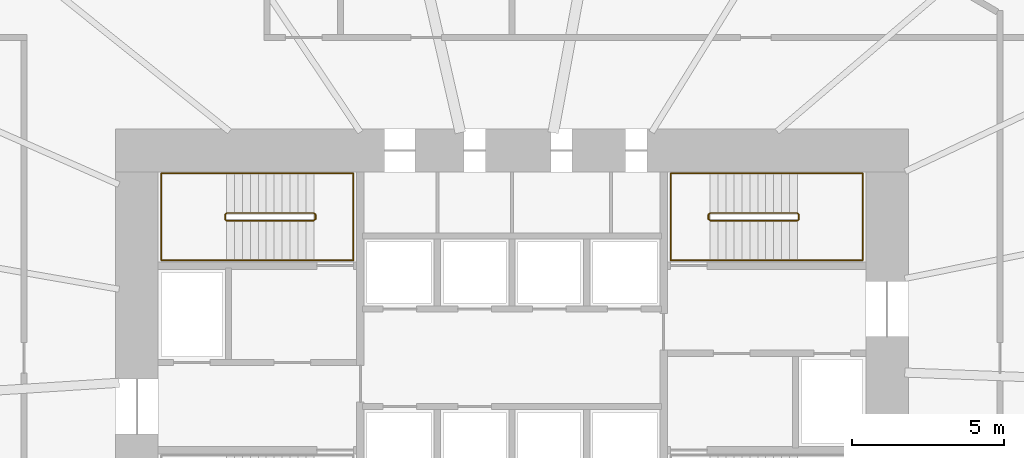
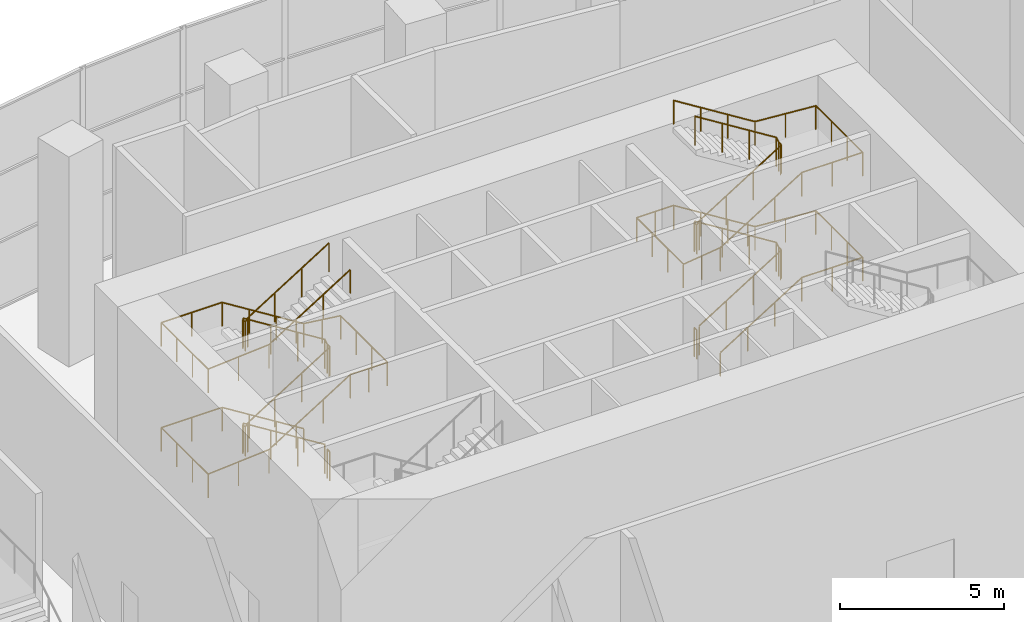
# One storey, part 22 of 22: 6 railings.
"""IFC4 building model written with IfcOpenShell, lengths in metres."""

from ifc_helpers import new_model, si_unit, direction, frame, origin, origin_2d, place, context, subcontext, project, spatial, circle, extrude, material, type_object, element, save


model = new_model("IFC4")

# Units and contexts
model_context = context("Model", 3, precision=1e-05, world=origin(), true_north=direction((0.0, 1.0)))
body_context = subcontext(model_context, "Body", "Model", "MODEL_VIEW")
ifc_project = project(units=[si_unit("LENGTHUNIT", "METRE"), si_unit("AREAUNIT", "SQUARE_METRE"), si_unit("VOLUMEUNIT", "CUBIC_METRE"), si_unit("PLANEANGLEUNIT", "RADIAN"), si_unit("MASSUNIT", "GRAM", prefix="KILO")], contexts=[model_context])

# Site, building, storey
site_placement = place(None, origin())
site = spatial("IfcSite", under=ifc_project, at=site_placement, CompositionType="ELEMENT")
building_placement = place(site_placement, origin())
building = spatial("IfcBuilding", under=site, at=building_placement, Name="Rubra Terraces Tower", CompositionType="ELEMENT")
storey_placement = place(building_placement, frame((0.0, 0.0, 15.0)))
storey = spatial("IfcBuildingStorey", under=building, at=storey_placement, Name="L02", CompositionType="ELEMENT", Elevation=15.0)

# Railings
ifc_material = material(Name="Stainless steel", Category="steel")
railing_type_1 = type_object("IfcRailingType", Name="Core stair guard 1100", PredefinedType="GUARDRAIL", material=ifc_material)
railing_1_placement = place(storey_placement, frame((-6.5, 9.25, 0.16259765625)))
element("IfcRailing", 1, at=railing_1_placement, inside=storey, type_object=railing_type_1, Name="L02 stair S2 guard 1", PredefinedType="GUARDRAIL", context=body_context, shape_type="SweptSolid", body=[
    extrude(circle(Radius=0.02392578125, at=origin_2d()), frame((0.0, 0.0, 1.076171875), z_axis=(-0.848026770018, 0.0, 0.529953391661), x_axis=(0.0, -1.0, 0.0)), (0.0, 0.0, 1.0), 3.37255859375),
    extrude(circle(Radius=0.02392578125, at=origin_2d()), frame((-2.860107421875, 0.0, 2.86328125), z_axis=(-0.705375805398, -0.708833529934, 0.0), x_axis=(0.708833529934, -0.705375805398, 0.0)), (0.0, 0.0, 1.0), 0.070556640625),
    extrude(circle(Radius=0.02392578125, at=origin_2d()), frame((-2.909912109375, -0.050048828125, 2.86328125), z_axis=(0.0, -1.0, 0.0), x_axis=(1.0, 0.0, 0.0)), (0.0, 0.0, 1.0), 0.14990234375),
    extrude(circle(Radius=0.02392578125, at=origin_2d()), frame((-2.909912109375, -0.199951171875, 2.86328125), z_axis=(0.280959487676, -0.282336740067, 0.917250092119), x_axis=(0.708833529934, 0.705375805398, 0.0)), (0.0, 0.0, 1.0), 0.17724609375),
    extrude(circle(Radius=0.02392578125, at=origin_2d()), frame((-2.860107421875, -0.25, 3.02587890625), z_axis=(0.848026770018, 0.0, 0.529953391661), x_axis=(0.0, 1.0, 0.0)), (0.0, 0.0, 1.0), 3.37255859375),
    extrude(circle(Radius=0.02392578125, at=origin_2d()), frame((0.0, -0.25, 4.8134765625), z_axis=(0.707106781187, 0.707106781187, 0.0), x_axis=(-0.707106781187, 0.707106781187, 0.0)), (0.0, 0.0, 1.0), 0.07080078125),
    extrude(circle(Radius=0.02392578125, at=origin_2d()), frame((0.050048828125, -0.199951171875, 4.8134765625), z_axis=(0.0, 1.0, 0.0), x_axis=(-1.0, 0.0, 0.0)), (0.0, 0.0, 1.0), 0.14990234375),
    extrude(circle(Radius=0.02392578125, at=origin_2d()), frame((0.050048828125, -0.050048828125, 4.8134765625), z_axis=(-0.282227285176, 0.282227285176, 0.916894497205), x_axis=(-0.707106781187, -0.707106781187, 0.0)), (0.0, 0.0, 1.0), 0.17724609375),
    extrude(circle(Radius=0.02392578125, at=origin_2d()), frame((0.0, 0.0, 4.97607421875), z_axis=(-0.847994237388, 0.0, 0.530005446535), x_axis=(0.0, -1.0, 0.0)), (0.0, 0.0, 1.0), 3.372802734375),
    extrude(circle(Radius=0.02392578125, at=origin_2d()), frame((-2.860107421875, 0.0, 6.763671875), z_axis=(-0.705375805398, -0.708833529934, 0.0), x_axis=(0.708833529934, -0.705375805398, 0.0)), (0.0, 0.0, 1.0), 0.070556640625),
    extrude(circle(Radius=0.02392578125, at=origin_2d()), frame((-2.909912109375, -0.050048828125, 6.763671875), z_axis=(0.0, -1.0, 0.0), x_axis=(1.0, 0.0, 0.0)), (0.0, 0.0, 1.0), 0.14990234375),
    extrude(circle(Radius=0.02392578125, at=origin_2d()), frame((-2.909912109375, -0.199951171875, 6.763671875), z_axis=(0.281314826061, -0.282693820306, 0.917031173188), x_axis=(0.708833529934, 0.705375805398, 0.0)), (0.0, 0.0, 1.0), 0.177001953125),
    extrude(circle(Radius=0.02392578125, at=origin_2d()), frame((-2.860107421875, -0.25, 6.92578125), z_axis=(0.847994237388, 0.0, 0.530005446535), x_axis=(0.0, 1.0, 0.0)), (0.0, 0.0, 1.0), 3.372802734375),
    extrude(circle(Radius=0.02099609375, at=origin_2d()), origin(), (0.0, 0.0, 1.0), 1.052001953125),
    extrude(circle(Radius=0.02099609375, at=origin_2d()), frame((-0.953369140625, 0.0, 0.595703125)), (0.0, 0.0, 1.0), 1.052001953125),
    extrude(circle(Radius=0.02099609375, at=origin_2d()), frame((-1.90673828125, 0.0, 1.191650390625)), (0.0, 0.0, 1.0), 1.052001953125),
    extrude(circle(Radius=0.02099609375, at=origin_2d()), frame((-2.860107421875, 0.0, 1.787353515625)), (0.0, 0.0, 1.0), 1.052001953125),
    extrude(circle(Radius=0.02099609375, at=origin_2d()), frame((-2.909912109375, -0.050048828125, 1.787353515625)), (0.0, 0.0, 1.0), 1.052001953125),
    extrude(circle(Radius=0.02099609375, at=origin_2d()), frame((-2.909912109375, -0.199951171875, 1.787353515625)), (0.0, 0.0, 1.0), 1.052001953125),
    extrude(circle(Radius=0.02099609375, at=origin_2d()), frame((-2.860107421875, -0.25, 1.949951171875)), (0.0, 0.0, 1.0), 1.052001953125),
    extrude(circle(Radius=0.02099609375, at=origin_2d()), frame((-1.90673828125, -0.25, 2.545654296875)), (0.0, 0.0, 1.0), 1.052001953125),
    extrude(circle(Radius=0.02099609375, at=origin_2d()), frame((-0.953369140625, -0.25, 3.1416015625)), (0.0, 0.0, 1.0), 1.052001953125),
    extrude(circle(Radius=0.02099609375, at=origin_2d()), frame((0.0, -0.25, 3.7373046875)), (0.0, 0.0, 1.0), 1.052001953125),
    extrude(circle(Radius=0.02099609375, at=origin_2d()), frame((0.050048828125, -0.199951171875, 3.7373046875)), (0.0, 0.0, 1.0), 1.052001953125),
    extrude(circle(Radius=0.02099609375, at=origin_2d()), frame((0.050048828125, -0.050048828125, 3.7373046875)), (0.0, 0.0, 1.0), 1.052001953125),
    extrude(circle(Radius=0.02099609375, at=origin_2d()), frame((0.0, 0.0, 3.89990234375)), (0.0, 0.0, 1.0), 1.052001953125),
    extrude(circle(Radius=0.02099609375, at=origin_2d()), frame((-0.953369140625, 0.0, 4.495849609375)), (0.0, 0.0, 1.0), 1.052001953125),
    extrude(circle(Radius=0.02099609375, at=origin_2d()), frame((-1.90673828125, 0.0, 5.091552734375)), (0.0, 0.0, 1.0), 1.052001953125),
    extrude(circle(Radius=0.02099609375, at=origin_2d()), frame((-2.860107421875, 0.0, 5.6875)), (0.0, 0.0, 1.0), 1.052001953125),
    extrude(circle(Radius=0.02099609375, at=origin_2d()), frame((-2.909912109375, -0.050048828125, 5.6875)), (0.0, 0.0, 1.0), 1.052001953125),
    extrude(circle(Radius=0.02099609375, at=origin_2d()), frame((-2.909912109375, -0.199951171875, 5.6875)), (0.0, 0.0, 1.0), 1.052001953125),
    extrude(circle(Radius=0.02099609375, at=origin_2d()), frame((-2.860107421875, -0.25, 5.849853515625)), (0.0, 0.0, 1.0), 1.052001953125),
    extrude(circle(Radius=0.02099609375, at=origin_2d()), frame((-1.90673828125, -0.25, 6.44580078125)), (0.0, 0.0, 1.0), 1.052001953125),
    extrude(circle(Radius=0.02099609375, at=origin_2d()), frame((-0.953369140625, -0.25, 7.04150390625)), (0.0, 0.0, 1.0), 1.052001953125),
    extrude(circle(Radius=0.02099609375, at=origin_2d()), frame((0.0, -0.25, 7.637451171875)), (0.0, 0.0, 1.0), 1.052001953125),
])
railing_2_placement = place(storey_placement, frame((-6.449951171875, 9.199951171875, 0.0)))
element("IfcRailing", 2, at=railing_2_placement, inside=storey, type_object=railing_type_1, Name="L02 stair S2 guard 2", PredefinedType="GUARDRAIL", context=body_context, shape_type="SweptSolid", body=[
    extrude(circle(Radius=0.02392578125, at=origin_2d()), frame((0.0, 0.0, 1.076171875), z_axis=(0.0, -1.0, 0.0), x_axis=(1.0, 0.0, 0.0)), (0.0, 0.0, 1.0), 0.14990234375),
    extrude(circle(Radius=0.02099609375, at=origin_2d()), origin(), (0.0, 0.0, 1.0), 1.052001953125),
    extrude(circle(Radius=0.02099609375, at=origin_2d()), frame((0.0, -0.14990234375, 0.0)), (0.0, 0.0, 1.0), 1.052001953125),
])
railing_3_placement = place(storey_placement, frame((6.5, 9.0, 0.16259765625)))
element("IfcRailing", 3, at=railing_3_placement, inside=storey, type_object=railing_type_1, Name="L02 stair S3 guard 1", PredefinedType="GUARDRAIL", context=body_context, shape_type="SweptSolid", body=[
    extrude(circle(Radius=0.02392578125, at=origin_2d()), frame((0.0, 0.0, 1.076171875), z_axis=(0.848026770018, 0.0, 0.529953391661), x_axis=(0.0, 1.0, 0.0)), (0.0, 0.0, 1.0), 3.37255859375),
    extrude(circle(Radius=0.02392578125, at=origin_2d()), frame((2.860107421875, 0.0, 2.86328125), z_axis=(0.705375805398, 0.708833529934, 0.0), x_axis=(-0.708833529934, 0.705375805398, 0.0)), (0.0, 0.0, 1.0), 0.070556640625),
    extrude(circle(Radius=0.02392578125, at=origin_2d()), frame((2.909912109375, 0.050048828125, 2.86328125), z_axis=(0.0, 1.0, 0.0), x_axis=(-1.0, 0.0, 0.0)), (0.0, 0.0, 1.0), 0.14990234375),
    extrude(circle(Radius=0.02392578125, at=origin_2d()), frame((2.909912109375, 0.199951171875, 2.86328125), z_axis=(-0.280959487676, 0.282336740067, 0.917250092119), x_axis=(-0.708833529934, -0.705375805398, 0.0)), (0.0, 0.0, 1.0), 0.17724609375),
    extrude(circle(Radius=0.02392578125, at=origin_2d()), frame((2.860107421875, 0.25, 3.02587890625), z_axis=(-0.848026770018, 0.0, 0.529953391661), x_axis=(0.0, -1.0, 0.0)), (0.0, 0.0, 1.0), 3.37255859375),
    extrude(circle(Radius=0.02392578125, at=origin_2d()), frame((0.0, 0.25, 4.8134765625), z_axis=(-0.707106781187, -0.707106781187, 0.0), x_axis=(0.707106781187, -0.707106781187, 0.0)), (0.0, 0.0, 1.0), 0.07080078125),
    extrude(circle(Radius=0.02392578125, at=origin_2d()), frame((-0.050048828125, 0.199951171875, 4.8134765625), z_axis=(0.0, -1.0, 0.0), x_axis=(1.0, 0.0, 0.0)), (0.0, 0.0, 1.0), 0.14990234375),
    extrude(circle(Radius=0.02392578125, at=origin_2d()), frame((-0.050048828125, 0.050048828125, 4.8134765625), z_axis=(0.282227285176, -0.282227285176, 0.916894497205), x_axis=(0.707106781187, 0.707106781187, 0.0)), (0.0, 0.0, 1.0), 0.17724609375),
    extrude(circle(Radius=0.02392578125, at=origin_2d()), frame((0.0, 0.0, 4.97607421875), z_axis=(0.847994237388, 0.0, 0.530005446535), x_axis=(0.0, 1.0, 0.0)), (0.0, 0.0, 1.0), 3.372802734375),
    extrude(circle(Radius=0.02392578125, at=origin_2d()), frame((2.860107421875, 0.0, 6.763671875), z_axis=(0.705375805398, 0.708833529934, 0.0), x_axis=(-0.708833529934, 0.705375805398, 0.0)), (0.0, 0.0, 1.0), 0.070556640625),
    extrude(circle(Radius=0.02392578125, at=origin_2d()), frame((2.909912109375, 0.050048828125, 6.763671875), z_axis=(0.0, 1.0, 0.0), x_axis=(-1.0, 0.0, 0.0)), (0.0, 0.0, 1.0), 0.14990234375),
    extrude(circle(Radius=0.02392578125, at=origin_2d()), frame((2.909912109375, 0.199951171875, 6.763671875), z_axis=(-0.281314826061, 0.282693820306, 0.917031173188), x_axis=(-0.708833529934, -0.705375805398, 0.0)), (0.0, 0.0, 1.0), 0.177001953125),
    extrude(circle(Radius=0.02392578125, at=origin_2d()), frame((2.860107421875, 0.25, 6.92578125), z_axis=(-0.847994237388, 0.0, 0.530005446535), x_axis=(0.0, -1.0, 0.0)), (0.0, 0.0, 1.0), 3.372802734375),
    extrude(circle(Radius=0.02099609375, at=origin_2d()), origin(), (0.0, 0.0, 1.0), 1.052001953125),
    extrude(circle(Radius=0.02099609375, at=origin_2d()), frame((0.953369140625, 0.0, 0.595703125)), (0.0, 0.0, 1.0), 1.052001953125),
    extrude(circle(Radius=0.02099609375, at=origin_2d()), frame((1.90673828125, 0.0, 1.191650390625)), (0.0, 0.0, 1.0), 1.052001953125),
    extrude(circle(Radius=0.02099609375, at=origin_2d()), frame((2.860107421875, 0.0, 1.787353515625)), (0.0, 0.0, 1.0), 1.052001953125),
    extrude(circle(Radius=0.02099609375, at=origin_2d()), frame((2.909912109375, 0.050048828125, 1.787353515625)), (0.0, 0.0, 1.0), 1.052001953125),
    extrude(circle(Radius=0.02099609375, at=origin_2d()), frame((2.909912109375, 0.199951171875, 1.787353515625)), (0.0, 0.0, 1.0), 1.052001953125),
    extrude(circle(Radius=0.02099609375, at=origin_2d()), frame((2.860107421875, 0.25, 1.949951171875)), (0.0, 0.0, 1.0), 1.052001953125),
    extrude(circle(Radius=0.02099609375, at=origin_2d()), frame((1.90673828125, 0.25, 2.545654296875)), (0.0, 0.0, 1.0), 1.052001953125),
    extrude(circle(Radius=0.02099609375, at=origin_2d()), frame((0.953369140625, 0.25, 3.1416015625)), (0.0, 0.0, 1.0), 1.052001953125),
    extrude(circle(Radius=0.02099609375, at=origin_2d()), frame((0.0, 0.25, 3.7373046875)), (0.0, 0.0, 1.0), 1.052001953125),
    extrude(circle(Radius=0.02099609375, at=origin_2d()), frame((-0.050048828125, 0.199951171875, 3.7373046875)), (0.0, 0.0, 1.0), 1.052001953125),
    extrude(circle(Radius=0.02099609375, at=origin_2d()), frame((-0.050048828125, 0.050048828125, 3.7373046875)), (0.0, 0.0, 1.0), 1.052001953125),
    extrude(circle(Radius=0.02099609375, at=origin_2d()), frame((0.0, 0.0, 3.89990234375)), (0.0, 0.0, 1.0), 1.052001953125),
    extrude(circle(Radius=0.02099609375, at=origin_2d()), frame((0.953369140625, 0.0, 4.495849609375)), (0.0, 0.0, 1.0), 1.052001953125),
    extrude(circle(Radius=0.02099609375, at=origin_2d()), frame((1.90673828125, 0.0, 5.091552734375)), (0.0, 0.0, 1.0), 1.052001953125),
    extrude(circle(Radius=0.02099609375, at=origin_2d()), frame((2.860107421875, 0.0, 5.6875)), (0.0, 0.0, 1.0), 1.052001953125),
    extrude(circle(Radius=0.02099609375, at=origin_2d()), frame((2.909912109375, 0.050048828125, 5.6875)), (0.0, 0.0, 1.0), 1.052001953125),
    extrude(circle(Radius=0.02099609375, at=origin_2d()), frame((2.909912109375, 0.199951171875, 5.6875)), (0.0, 0.0, 1.0), 1.052001953125),
    extrude(circle(Radius=0.02099609375, at=origin_2d()), frame((2.860107421875, 0.25, 5.849853515625)), (0.0, 0.0, 1.0), 1.052001953125),
    extrude(circle(Radius=0.02099609375, at=origin_2d()), frame((1.90673828125, 0.25, 6.44580078125)), (0.0, 0.0, 1.0), 1.052001953125),
    extrude(circle(Radius=0.02099609375, at=origin_2d()), frame((0.953369140625, 0.25, 7.04150390625)), (0.0, 0.0, 1.0), 1.052001953125),
    extrude(circle(Radius=0.02099609375, at=origin_2d()), frame((0.0, 0.25, 7.637451171875)), (0.0, 0.0, 1.0), 1.052001953125),
])
railing_4_placement = place(storey_placement, frame((6.449951171875, 9.050048828125, 0.0)))
element("IfcRailing", 4, at=railing_4_placement, inside=storey, type_object=railing_type_1, Name="L02 stair S3 guard 2", PredefinedType="GUARDRAIL", context=body_context, shape_type="SweptSolid", body=[
    extrude(circle(Radius=0.02392578125, at=origin_2d()), frame((0.0, 0.0, 1.076171875), z_axis=(0.0, 1.0, 0.0), x_axis=(-1.0, 0.0, 0.0)), (0.0, 0.0, 1.0), 0.14990234375),
    extrude(circle(Radius=0.02099609375, at=origin_2d()), origin(), (0.0, 0.0, 1.0), 1.052001953125),
    extrude(circle(Radius=0.02099609375, at=origin_2d()), frame((0.0, 0.14990234375, 0.0)), (0.0, 0.0, 1.0), 1.052001953125),
])
railing_type_2 = type_object("IfcRailingType", Name="Core stair handrail 900", PredefinedType="HANDRAIL", material=ifc_material)
railing_5_placement = place(storey_placement, frame((-6.5, 10.550048828125, 0.16259765625)))
element("IfcRailing", 5, at=railing_5_placement, inside=storey, type_object=railing_type_2, Name="L02 stair S2 handrail 1", PredefinedType="HANDRAIL", context=body_context, shape_type="SweptSolid", body=[
    extrude(circle(Radius=0.02392578125, at=origin_2d()), frame((0.0, 0.0, 0.8759765625), z_axis=(-0.848026770018, 0.0, 0.529953391661), x_axis=(0.0, -1.0, 0.0)), (0.0, 0.0, 1.0), 3.37255859375),
    extrude(circle(Radius=0.02392578125, at=origin_2d()), frame((-2.860107421875, 0.0, 2.6630859375), z_axis=(-1.0, 0.0, 0.0), x_axis=(0.0, -1.0, 0.0)), (0.0, 0.0, 1.0), 2.139892578125),
    extrude(circle(Radius=0.02392578125, at=origin_2d()), frame((-5.0, 0.0, 2.6630859375), z_axis=(0.0, -1.0, 0.0), x_axis=(1.0, 0.0, 0.0)), (0.0, 0.0, 1.0), 2.85009765625),
    extrude(circle(Radius=0.02392578125, at=origin_2d()), frame((-5.0, -2.85009765625, 2.6630859375), z_axis=(0.997125654253, 0.0, 0.075765623016), x_axis=(0.0, 1.0, 0.0)), (0.0, 0.0, 1.0), 2.14599609375),
    extrude(circle(Radius=0.02392578125, at=origin_2d()), frame((-2.860107421875, -2.85009765625, 2.82568359375), z_axis=(0.848026770018, 0.0, 0.529953391661), x_axis=(0.0, 1.0, 0.0)), (0.0, 0.0, 1.0), 3.37255859375),
    extrude(circle(Radius=0.02392578125, at=origin_2d()), frame((0.0, -2.85009765625, 4.61328125), z_axis=(1.0, 0.0, 0.0), x_axis=(0.0, 1.0, 0.0)), (0.0, 0.0, 1.0), 1.300048828125),
    extrude(circle(Radius=0.02392578125, at=origin_2d()), frame((1.300048828125, -2.85009765625, 4.61328125), z_axis=(0.0, 1.0, 0.0), x_axis=(-1.0, 0.0, 0.0)), (0.0, 0.0, 1.0), 2.85009765625),
    extrude(circle(Radius=0.02392578125, at=origin_2d()), frame((1.300048828125, 0.0, 4.61328125), z_axis=(-0.992269273945, 0.0, 0.124103537361), x_axis=(0.0, -1.0, 0.0)), (0.0, 0.0, 1.0), 1.31005859375),
    extrude(circle(Radius=0.02392578125, at=origin_2d()), frame((0.0, 0.0, 4.77587890625), z_axis=(-0.847994237388, 0.0, 0.530005446535), x_axis=(0.0, -1.0, 0.0)), (0.0, 0.0, 1.0), 3.372802734375),
    extrude(circle(Radius=0.02392578125, at=origin_2d()), frame((-2.860107421875, 0.0, 6.5634765625), z_axis=(-1.0, 0.0, 0.0), x_axis=(0.0, -1.0, 0.0)), (0.0, 0.0, 1.0), 2.139892578125),
    extrude(circle(Radius=0.02392578125, at=origin_2d()), frame((-5.0, 0.0, 6.5634765625), z_axis=(0.0, -1.0, 0.0), x_axis=(1.0, 0.0, 0.0)), (0.0, 0.0, 1.0), 2.85009765625),
    extrude(circle(Radius=0.02392578125, at=origin_2d()), frame((-5.0, -2.85009765625, 6.5634765625), z_axis=(0.9971342424, 0.0, 0.075652512401), x_axis=(0.0, 1.0, 0.0)), (0.0, 0.0, 1.0), 2.14599609375),
    extrude(circle(Radius=0.02392578125, at=origin_2d()), frame((-2.860107421875, -2.85009765625, 6.7255859375), z_axis=(0.847994237388, 0.0, 0.530005446535), x_axis=(0.0, 1.0, 0.0)), (0.0, 0.0, 1.0), 3.372802734375),
    extrude(circle(Radius=0.02099609375, at=origin_2d()), origin(), (0.0, 0.0, 1.0), 0.851806640625),
    extrude(circle(Radius=0.02099609375, at=origin_2d()), frame((-0.953369140625, 0.0, 0.595703125)), (0.0, 0.0, 1.0), 0.851806640625),
    extrude(circle(Radius=0.02099609375, at=origin_2d()), frame((-1.90673828125, 0.0, 1.191650390625)), (0.0, 0.0, 1.0), 0.851806640625),
    extrude(circle(Radius=0.02099609375, at=origin_2d()), frame((-2.860107421875, 0.0, 1.787353515625)), (0.0, 0.0, 1.0), 0.851806640625),
    extrude(circle(Radius=0.02099609375, at=origin_2d()), frame((-3.93017578125, 0.0, 1.787353515625)), (0.0, 0.0, 1.0), 0.851806640625),
    extrude(circle(Radius=0.02099609375, at=origin_2d()), frame((-5.0, 0.0, 1.787353515625)), (0.0, 0.0, 1.0), 0.851806640625),
    extrude(circle(Radius=0.02099609375, at=origin_2d()), frame((-5.0, -0.949951171875, 1.787353515625)), (0.0, 0.0, 1.0), 0.851806640625),
    extrude(circle(Radius=0.02099609375, at=origin_2d()), frame((-5.0, -1.900146484375, 1.787353515625)), (0.0, 0.0, 1.0), 0.851806640625),
    extrude(circle(Radius=0.02099609375, at=origin_2d()), frame((-5.0, -2.85009765625, 1.787353515625)), (0.0, 0.0, 1.0), 0.851806640625),
    extrude(circle(Radius=0.02099609375, at=origin_2d()), frame((-3.93017578125, -2.85009765625, 1.86865234375)), (0.0, 0.0, 1.0), 0.851806640625),
    extrude(circle(Radius=0.02099609375, at=origin_2d()), frame((-2.860107421875, -2.85009765625, 1.949951171875)), (0.0, 0.0, 1.0), 0.851806640625),
    extrude(circle(Radius=0.02099609375, at=origin_2d()), frame((-1.90673828125, -2.85009765625, 2.545654296875)), (0.0, 0.0, 1.0), 0.851806640625),
    extrude(circle(Radius=0.02099609375, at=origin_2d()), frame((-0.953369140625, -2.85009765625, 3.1416015625)), (0.0, 0.0, 1.0), 0.851806640625),
    extrude(circle(Radius=0.02099609375, at=origin_2d()), frame((0.0, -2.85009765625, 3.7373046875)), (0.0, 0.0, 1.0), 0.851806640625),
    extrude(circle(Radius=0.02099609375, at=origin_2d()), frame((0.64990234375, -2.85009765625, 3.7373046875)), (0.0, 0.0, 1.0), 0.851806640625),
    extrude(circle(Radius=0.02099609375, at=origin_2d()), frame((1.300048828125, -2.85009765625, 3.7373046875)), (0.0, 0.0, 1.0), 0.851806640625),
    extrude(circle(Radius=0.02099609375, at=origin_2d()), frame((1.300048828125, -1.900146484375, 3.7373046875)), (0.0, 0.0, 1.0), 0.851806640625),
    extrude(circle(Radius=0.02099609375, at=origin_2d()), frame((1.300048828125, -0.949951171875, 3.7373046875)), (0.0, 0.0, 1.0), 0.851806640625),
    extrude(circle(Radius=0.02099609375, at=origin_2d()), frame((1.300048828125, 0.0, 3.7373046875)), (0.0, 0.0, 1.0), 0.851806640625),
    extrude(circle(Radius=0.02099609375, at=origin_2d()), frame((0.64990234375, 0.0, 3.818603515625)), (0.0, 0.0, 1.0), 0.851806640625),
    extrude(circle(Radius=0.02099609375, at=origin_2d()), frame((0.0, 0.0, 3.89990234375)), (0.0, 0.0, 1.0), 0.851806640625),
    extrude(circle(Radius=0.02099609375, at=origin_2d()), frame((-0.953369140625, 0.0, 4.495849609375)), (0.0, 0.0, 1.0), 0.851806640625),
    extrude(circle(Radius=0.02099609375, at=origin_2d()), frame((-1.90673828125, 0.0, 5.091552734375)), (0.0, 0.0, 1.0), 0.851806640625),
    extrude(circle(Radius=0.02099609375, at=origin_2d()), frame((-2.860107421875, 0.0, 5.6875)), (0.0, 0.0, 1.0), 0.851806640625),
    extrude(circle(Radius=0.02099609375, at=origin_2d()), frame((-3.93017578125, 0.0, 5.6875)), (0.0, 0.0, 1.0), 0.851806640625),
    extrude(circle(Radius=0.02099609375, at=origin_2d()), frame((-5.0, 0.0, 5.6875)), (0.0, 0.0, 1.0), 0.851806640625),
    extrude(circle(Radius=0.02099609375, at=origin_2d()), frame((-5.0, -0.949951171875, 5.6875)), (0.0, 0.0, 1.0), 0.851806640625),
    extrude(circle(Radius=0.02099609375, at=origin_2d()), frame((-5.0, -1.900146484375, 5.6875)), (0.0, 0.0, 1.0), 0.851806640625),
    extrude(circle(Radius=0.02099609375, at=origin_2d()), frame((-5.0, -2.85009765625, 5.6875)), (0.0, 0.0, 1.0), 0.851806640625),
    extrude(circle(Radius=0.02099609375, at=origin_2d()), frame((-3.93017578125, -2.85009765625, 5.7685546875)), (0.0, 0.0, 1.0), 0.851806640625),
    extrude(circle(Radius=0.02099609375, at=origin_2d()), frame((-2.860107421875, -2.85009765625, 5.849853515625)), (0.0, 0.0, 1.0), 0.851806640625),
    extrude(circle(Radius=0.02099609375, at=origin_2d()), frame((-1.90673828125, -2.85009765625, 6.44580078125)), (0.0, 0.0, 1.0), 0.851806640625),
    extrude(circle(Radius=0.02099609375, at=origin_2d()), frame((-0.953369140625, -2.85009765625, 7.04150390625)), (0.0, 0.0, 1.0), 0.851806640625),
    extrude(circle(Radius=0.02099609375, at=origin_2d()), frame((0.0, -2.85009765625, 7.637451171875)), (0.0, 0.0, 1.0), 0.851806640625),
])
railing_6_placement = place(storey_placement, frame((6.5, 7.699951171875, 0.16259765625)))
element("IfcRailing", 6, at=railing_6_placement, inside=storey, type_object=railing_type_2, Name="L02 stair S3 handrail 1", PredefinedType="HANDRAIL", context=body_context, shape_type="SweptSolid", body=[
    extrude(circle(Radius=0.02392578125, at=origin_2d()), frame((0.0, 0.0, 0.8759765625), z_axis=(0.848026770018, 0.0, 0.529953391661), x_axis=(0.0, 1.0, 0.0)), (0.0, 0.0, 1.0), 3.37255859375),
    extrude(circle(Radius=0.02392578125, at=origin_2d()), frame((2.860107421875, 0.0, 2.6630859375), z_axis=(1.0, 0.0, 0.0), x_axis=(0.0, 1.0, 0.0)), (0.0, 0.0, 1.0), 2.139892578125),
    extrude(circle(Radius=0.02392578125, at=origin_2d()), frame((5.0, 0.0, 2.6630859375), z_axis=(0.0, 1.0, 0.0), x_axis=(-1.0, 0.0, 0.0)), (0.0, 0.0, 1.0), 2.85009765625),
    extrude(circle(Radius=0.02392578125, at=origin_2d()), frame((5.0, 2.85009765625, 2.6630859375), z_axis=(-0.997125654253, 0.0, 0.075765623016), x_axis=(0.0, -1.0, 0.0)), (0.0, 0.0, 1.0), 2.14599609375),
    extrude(circle(Radius=0.02392578125, at=origin_2d()), frame((2.860107421875, 2.85009765625, 2.82568359375), z_axis=(-0.848026770018, 0.0, 0.529953391661), x_axis=(0.0, -1.0, 0.0)), (0.0, 0.0, 1.0), 3.37255859375),
    extrude(circle(Radius=0.02392578125, at=origin_2d()), frame((0.0, 2.85009765625, 4.61328125), z_axis=(-1.0, 0.0, 0.0), x_axis=(0.0, -1.0, 0.0)), (0.0, 0.0, 1.0), 1.300048828125),
    extrude(circle(Radius=0.02392578125, at=origin_2d()), frame((-1.300048828125, 2.85009765625, 4.61328125), z_axis=(0.0, -1.0, 0.0), x_axis=(1.0, 0.0, 0.0)), (0.0, 0.0, 1.0), 2.85009765625),
    extrude(circle(Radius=0.02392578125, at=origin_2d()), frame((-1.300048828125, 0.0, 4.61328125), z_axis=(0.992269273945, 0.0, 0.124103537361), x_axis=(0.0, 1.0, 0.0)), (0.0, 0.0, 1.0), 1.31005859375),
    extrude(circle(Radius=0.02392578125, at=origin_2d()), frame((0.0, 0.0, 4.77587890625), z_axis=(0.847994237388, 0.0, 0.530005446535), x_axis=(0.0, 1.0, 0.0)), (0.0, 0.0, 1.0), 3.372802734375),
    extrude(circle(Radius=0.02392578125, at=origin_2d()), frame((2.860107421875, 0.0, 6.5634765625), z_axis=(1.0, 0.0, 0.0), x_axis=(0.0, 1.0, 0.0)), (0.0, 0.0, 1.0), 2.139892578125),
    extrude(circle(Radius=0.02392578125, at=origin_2d()), frame((5.0, 0.0, 6.5634765625), z_axis=(0.0, 1.0, 0.0), x_axis=(-1.0, 0.0, 0.0)), (0.0, 0.0, 1.0), 2.85009765625),
    extrude(circle(Radius=0.02392578125, at=origin_2d()), frame((5.0, 2.85009765625, 6.5634765625), z_axis=(-0.9971342424, 0.0, 0.075652512401), x_axis=(0.0, -1.0, 0.0)), (0.0, 0.0, 1.0), 2.14599609375),
    extrude(circle(Radius=0.02392578125, at=origin_2d()), frame((2.860107421875, 2.85009765625, 6.7255859375), z_axis=(-0.847994237388, 0.0, 0.530005446535), x_axis=(0.0, -1.0, 0.0)), (0.0, 0.0, 1.0), 3.372802734375),
    extrude(circle(Radius=0.02099609375, at=origin_2d()), origin(), (0.0, 0.0, 1.0), 0.851806640625),
    extrude(circle(Radius=0.02099609375, at=origin_2d()), frame((0.953369140625, 0.0, 0.595703125)), (0.0, 0.0, 1.0), 0.851806640625),
    extrude(circle(Radius=0.02099609375, at=origin_2d()), frame((1.90673828125, 0.0, 1.191650390625)), (0.0, 0.0, 1.0), 0.851806640625),
    extrude(circle(Radius=0.02099609375, at=origin_2d()), frame((2.860107421875, 0.0, 1.787353515625)), (0.0, 0.0, 1.0), 0.851806640625),
    extrude(circle(Radius=0.02099609375, at=origin_2d()), frame((3.93017578125, 0.0, 1.787353515625)), (0.0, 0.0, 1.0), 0.851806640625),
    extrude(circle(Radius=0.02099609375, at=origin_2d()), frame((5.0, 0.0, 1.787353515625)), (0.0, 0.0, 1.0), 0.851806640625),
    extrude(circle(Radius=0.02099609375, at=origin_2d()), frame((5.0, 0.949951171875, 1.787353515625)), (0.0, 0.0, 1.0), 0.851806640625),
    extrude(circle(Radius=0.02099609375, at=origin_2d()), frame((5.0, 1.900146484375, 1.787353515625)), (0.0, 0.0, 1.0), 0.851806640625),
    extrude(circle(Radius=0.02099609375, at=origin_2d()), frame((5.0, 2.85009765625, 1.787353515625)), (0.0, 0.0, 1.0), 0.851806640625),
    extrude(circle(Radius=0.02099609375, at=origin_2d()), frame((3.93017578125, 2.85009765625, 1.86865234375)), (0.0, 0.0, 1.0), 0.851806640625),
    extrude(circle(Radius=0.02099609375, at=origin_2d()), frame((2.860107421875, 2.85009765625, 1.949951171875)), (0.0, 0.0, 1.0), 0.851806640625),
    extrude(circle(Radius=0.02099609375, at=origin_2d()), frame((1.90673828125, 2.85009765625, 2.545654296875)), (0.0, 0.0, 1.0), 0.851806640625),
    extrude(circle(Radius=0.02099609375, at=origin_2d()), frame((0.953369140625, 2.85009765625, 3.1416015625)), (0.0, 0.0, 1.0), 0.851806640625),
    extrude(circle(Radius=0.02099609375, at=origin_2d()), frame((0.0, 2.85009765625, 3.7373046875)), (0.0, 0.0, 1.0), 0.851806640625),
    extrude(circle(Radius=0.02099609375, at=origin_2d()), frame((-0.64990234375, 2.85009765625, 3.7373046875)), (0.0, 0.0, 1.0), 0.851806640625),
    extrude(circle(Radius=0.02099609375, at=origin_2d()), frame((-1.300048828125, 2.85009765625, 3.7373046875)), (0.0, 0.0, 1.0), 0.851806640625),
    extrude(circle(Radius=0.02099609375, at=origin_2d()), frame((-1.300048828125, 1.900146484375, 3.7373046875)), (0.0, 0.0, 1.0), 0.851806640625),
    extrude(circle(Radius=0.02099609375, at=origin_2d()), frame((-1.300048828125, 0.949951171875, 3.7373046875)), (0.0, 0.0, 1.0), 0.851806640625),
    extrude(circle(Radius=0.02099609375, at=origin_2d()), frame((-1.300048828125, 0.0, 3.7373046875)), (0.0, 0.0, 1.0), 0.851806640625),
    extrude(circle(Radius=0.02099609375, at=origin_2d()), frame((-0.64990234375, 0.0, 3.818603515625)), (0.0, 0.0, 1.0), 0.851806640625),
    extrude(circle(Radius=0.02099609375, at=origin_2d()), frame((0.0, 0.0, 3.89990234375)), (0.0, 0.0, 1.0), 0.851806640625),
    extrude(circle(Radius=0.02099609375, at=origin_2d()), frame((0.953369140625, 0.0, 4.495849609375)), (0.0, 0.0, 1.0), 0.851806640625),
    extrude(circle(Radius=0.02099609375, at=origin_2d()), frame((1.90673828125, 0.0, 5.091552734375)), (0.0, 0.0, 1.0), 0.851806640625),
    extrude(circle(Radius=0.02099609375, at=origin_2d()), frame((2.860107421875, 0.0, 5.6875)), (0.0, 0.0, 1.0), 0.851806640625),
    extrude(circle(Radius=0.02099609375, at=origin_2d()), frame((3.93017578125, 0.0, 5.6875)), (0.0, 0.0, 1.0), 0.851806640625),
    extrude(circle(Radius=0.02099609375, at=origin_2d()), frame((5.0, 0.0, 5.6875)), (0.0, 0.0, 1.0), 0.851806640625),
    extrude(circle(Radius=0.02099609375, at=origin_2d()), frame((5.0, 0.949951171875, 5.6875)), (0.0, 0.0, 1.0), 0.851806640625),
    extrude(circle(Radius=0.02099609375, at=origin_2d()), frame((5.0, 1.900146484375, 5.6875)), (0.0, 0.0, 1.0), 0.851806640625),
    extrude(circle(Radius=0.02099609375, at=origin_2d()), frame((5.0, 2.85009765625, 5.6875)), (0.0, 0.0, 1.0), 0.851806640625),
    extrude(circle(Radius=0.02099609375, at=origin_2d()), frame((3.93017578125, 2.85009765625, 5.7685546875)), (0.0, 0.0, 1.0), 0.851806640625),
    extrude(circle(Radius=0.02099609375, at=origin_2d()), frame((2.860107421875, 2.85009765625, 5.849853515625)), (0.0, 0.0, 1.0), 0.851806640625),
    extrude(circle(Radius=0.02099609375, at=origin_2d()), frame((1.90673828125, 2.85009765625, 6.44580078125)), (0.0, 0.0, 1.0), 0.851806640625),
    extrude(circle(Radius=0.02099609375, at=origin_2d()), frame((0.953369140625, 2.85009765625, 7.04150390625)), (0.0, 0.0, 1.0), 0.851806640625),
    extrude(circle(Radius=0.02099609375, at=origin_2d()), frame((0.0, 2.85009765625, 7.637451171875)), (0.0, 0.0, 1.0), 0.851806640625),
])

save(model, "model.ifc")
